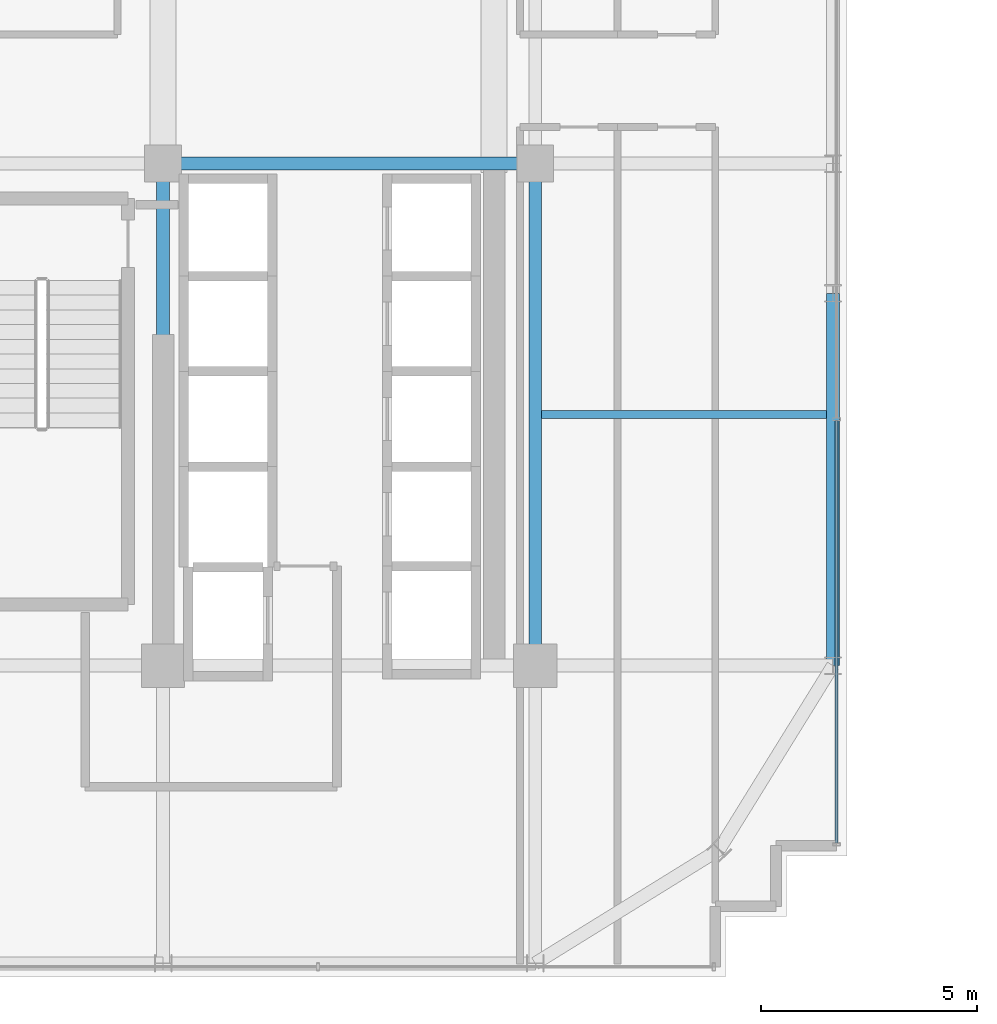
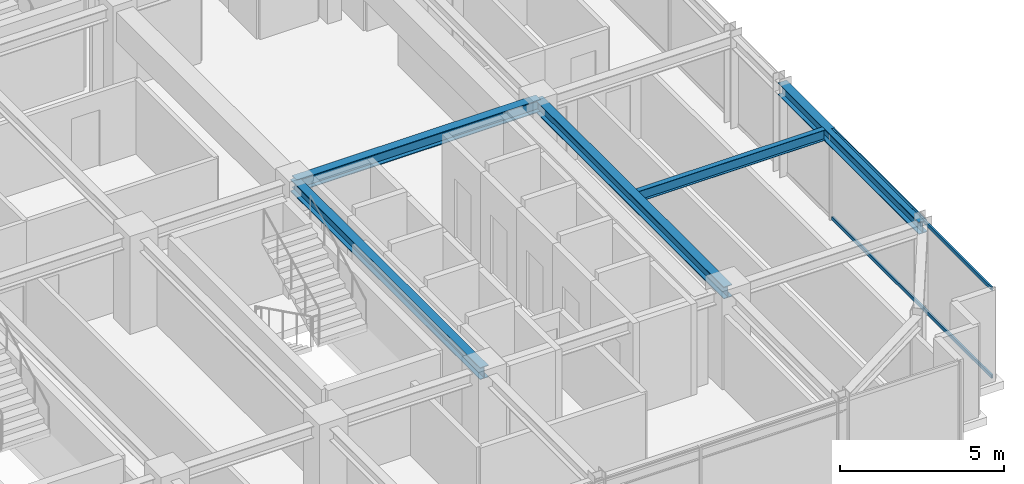
# One storey, part 14 of 34: 5 beams, 2 members, 1 element without a shape of its own.
"""IFC4 building model written with IfcOpenShell, lengths in metres."""

from ifc_helpers import new_model, si_unit, direction, frame, origin, origin_2d, place, context, subcontext, project, spatial, hollow_rectangle, i_section, extrude, source, transform, mapped, material, material_profile, profile_set, type_object, element, aggregate, save


model = new_model("IFC4")

# Units and contexts
model_context = context("Model", 3, precision=1e-05, world=origin(), true_north=direction((0.0, 1.0)))
body_context = subcontext(model_context, "Body", "Model", "MODEL_VIEW")
ifc_project = project(units=[si_unit("LENGTHUNIT", "METRE"), si_unit("AREAUNIT", "SQUARE_METRE"), si_unit("VOLUMEUNIT", "CUBIC_METRE"), si_unit("PLANEANGLEUNIT", "RADIAN"), si_unit("MASSUNIT", "GRAM", prefix="KILO")], contexts=[model_context])

# Site, building, storey
site_placement = place(None, origin())
site = spatial("IfcSite", under=ifc_project, at=site_placement, CompositionType="ELEMENT")
building_placement = place(site_placement, origin())
building = spatial("IfcBuilding", under=site, at=building_placement, Name="Nahalor Promenade Grand Hotel", CompositionType="ELEMENT")
storey_placement = place(building_placement, frame((0.0, 0.0, 208.60009765625)))
storey = spatial("IfcBuildingStorey", under=building, at=storey_placement, Name="L53", CompositionType="ELEMENT", Elevation=208.60009765625)

# Beams
ifc_material_1 = material(Name="Steel S355JR", Category="steel")
ifc_material_profile_1 = material_profile(ifc_material_1, i_section(OverallWidth=0.3, OverallDepth=0.45, WebThickness=0.014, FlangeThickness=0.026, at=origin_2d()), Name="HEB 450")
ifc_profile_set_1 = profile_set([ifc_material_profile_1], Name="Steel S355JR")
beam_type_1 = type_object("IfcBeamType", Name="Beam-Spandrel-HEB450", PredefinedType="SPANDREL", material=ifc_profile_set_1)
shared_shape_1 = source(origin(), body_context, "Body", "SweptSolid", [
    extrude(i_section(OverallWidth=0.3, OverallDepth=0.45, WebThickness=0.014, FlangeThickness=0.026, at=origin_2d()), origin(), (0.0, 0.0, 1.0), 8.60009765625),
])
beam_1_placement = place(storey_placement, frame((23.8798828125, -17.0, 3.184814453125), z_axis=(0.0, 1.0, 0.0), x_axis=(-1.0, 0.0, 0.0)))
element("IfcBeam", 1, at=beam_1_placement, inside=storey, type_object=beam_type_1, Name="BM-L53-SP-E-0", PredefinedType="SPANDREL", context=body_context, shape_type="MappedRepresentation", body=[
    mapped(shared_shape_1, transform((0.0, 0.0, 0.0), scale=1.0)),
])
ifc_material_profile_2 = material_profile(ifc_material_1, i_section(OverallWidth=0.3, OverallDepth=0.45, WebThickness=0.014, FlangeThickness=0.026, at=origin_2d()), Name="HEB 450")
ifc_profile_set_2 = profile_set([ifc_material_profile_2], Name="Steel S355JR")
beam_type_2 = type_object("IfcBeamType", Name="Beam-Girder-HEB450", PredefinedType="BEAM", material=ifc_profile_set_2)
shared_shape_2 = source(origin(), body_context, "Body", "SweptSolid", [
    extrude(i_section(OverallWidth=0.3, OverallDepth=0.45, WebThickness=0.014, FlangeThickness=0.026, at=origin_2d()), origin(), (0.0, 0.0, 1.0), 8.60009765625),
])
beam_2_placement = place(storey_placement, frame((8.39990234375, -5.39990234375, 3.184814453125), z_axis=(1.0, 0.0, 0.0), x_axis=(0.0, 1.0, 0.0)))
element("IfcBeam", 2, at=beam_2_placement, inside=storey, type_object=beam_type_2, Name="BM-L53-GX-1-5", PredefinedType="BEAM", context=body_context, shape_type="MappedRepresentation", body=[
    mapped(shared_shape_2, transform((0.0, 0.0, 0.0), scale=1.0)),
])
shared_shape_3 = source(origin(), body_context, "Body", "SweptSolid", [
    extrude(i_section(OverallWidth=0.3, OverallDepth=0.45, WebThickness=0.014, FlangeThickness=0.026, at=origin_2d()), origin(), (0.0, 0.0, 1.0), 11.60009765625),
])
for number, where, z_axis, x_axis, name in (
    (3, (8.39990234375, -17.0, 3.184814453125), (0.0, 1.0, 0.0), (-1.0, 0.0, 0.0), "BM-L53-GY-4-1"),
    (4, (17.0, -17.0, 3.184814453125), (0.0, 1.0, 0.0), (-1.0, 0.0, 0.0), "BM-L53-GY-5-1"),
):
    element("IfcBeam", number, at=place(storey_placement, frame(where, z_axis=z_axis, x_axis=x_axis)), inside=storey, type_object=beam_type_2, Name=name, PredefinedType="BEAM", context=body_context, shape_type="MappedRepresentation", body=[
        mapped(shared_shape_3, transform((0.0, 0.0, 0.0), scale=1.0)),
    ])
ifc_material_profile_3 = material_profile(ifc_material_1, i_section(OverallWidth=0.18, OverallDepth=0.4, WebThickness=0.0086, FlangeThickness=0.0135, at=origin_2d()), Name="IPE 400")
ifc_profile_set_3 = profile_set([ifc_material_profile_3], Name="Steel S355JR")
beam_type_3 = type_object("IfcBeamType", Name="Beam-Joist-IPE400", PredefinedType="JOIST", material=ifc_profile_set_3)
shared_shape_4 = source(origin(), body_context, "Body", "SweptSolid", [
    extrude(i_section(OverallWidth=0.18, OverallDepth=0.4, WebThickness=0.0086, FlangeThickness=0.0135, at=origin_2d()), origin(), (0.0, 0.0, 1.0), 6.580078125),
])
beam_3_placement = place(storey_placement, frame((17.14990234375, -11.199951171875, 3.2099609375), z_axis=(1.0, 0.0, 0.0), x_axis=(0.0, 1.0, 0.0)))
element("IfcBeam", 5, at=beam_3_placement, inside=storey, type_object=beam_type_3, Name="BM-L53-JSE-0-2", PredefinedType="JOIST", context=body_context, shape_type="MappedRepresentation", body=[
    mapped(shared_shape_4, transform((0.0, 0.0, 0.0), scale=1.0)),
])

# Curtain wall, members
ifc_material_2 = material(Name="Anodised Bronze Aluminium EN AW-6063 T6", Category="aluminium")
curtain_wall_type = type_object("IfcCurtainWallType", Name="CW2 Typical Hotel Flush Bronze Unitised Curtain Wall", PredefinedType="USERDEFINED", material=ifc_material_2)
curtain_wall_placement = place(storey_placement, origin())
curtain_wall = element("IfcCurtainWall", 6, at=curtain_wall_placement, inside=storey, type_object=curtain_wall_type, Name="L53 Curtain Wall CW-L53-E-1", ObjectType="UNITISED_CURTAIN_WALL", PredefinedType="USERDEFINED")
ifc_material_profile_4 = material_profile(ifc_material_2, hollow_rectangle(XDim=0.065, YDim=0.13, WallThickness=0.004, at=origin_2d()), Name="CWT 65x130x4")
ifc_profile_set_4 = profile_set([ifc_material_profile_4], Name="Anodised Bronze Aluminium EN AW-6063 T6")
member_type = type_object("IfcMemberType", Name="CWT2 Typical Bronze Transom 65x130", PredefinedType="USERDEFINED", material=ifc_profile_set_4)
shared_shape_5 = source(origin(), body_context, "Body", "SweptSolid", [
    extrude(hollow_rectangle(XDim=0.065, YDim=0.13, WallThickness=0.004, at=origin_2d()), origin(), (0.0, 0.0, 1.0), 9.755859375),
])
member_1_placement = place(storey_placement, frame((23.9599609375, -21.094970703125, 0.06494140625), z_axis=(0.0, 1.0, 0.0), x_axis=(-1.0, 0.0, 0.0)))
member_1 = element("IfcMember", 7, at=member_1_placement, type_object=member_type, Name="CW-L53-E-1 Transom 0-0", ObjectType="TRANSOM", PredefinedType="USERDEFINED", context=body_context, shape_type="MappedRepresentation", body=[
    mapped(shared_shape_5, transform((0.0, 0.0, 0.0), scale=1.0)),
])
member_2_placement = place(storey_placement, frame((23.9599609375, -21.094970703125, 3.344970703125), z_axis=(0.0, 1.0, 0.0), x_axis=(-1.0, 0.0, 0.0)))
member_2 = element("IfcMember", 8, at=member_2_placement, type_object=member_type, Name="CW-L53-E-1 Transom 0-1", ObjectType="TRANSOM", PredefinedType="USERDEFINED", context=body_context, shape_type="MappedRepresentation", body=[
    mapped(shared_shape_5, transform((0.0, 0.0, 0.0), scale=1.0)),
])
aggregate(curtain_wall, [member_1, member_2])

save(model, "model.ifc")
